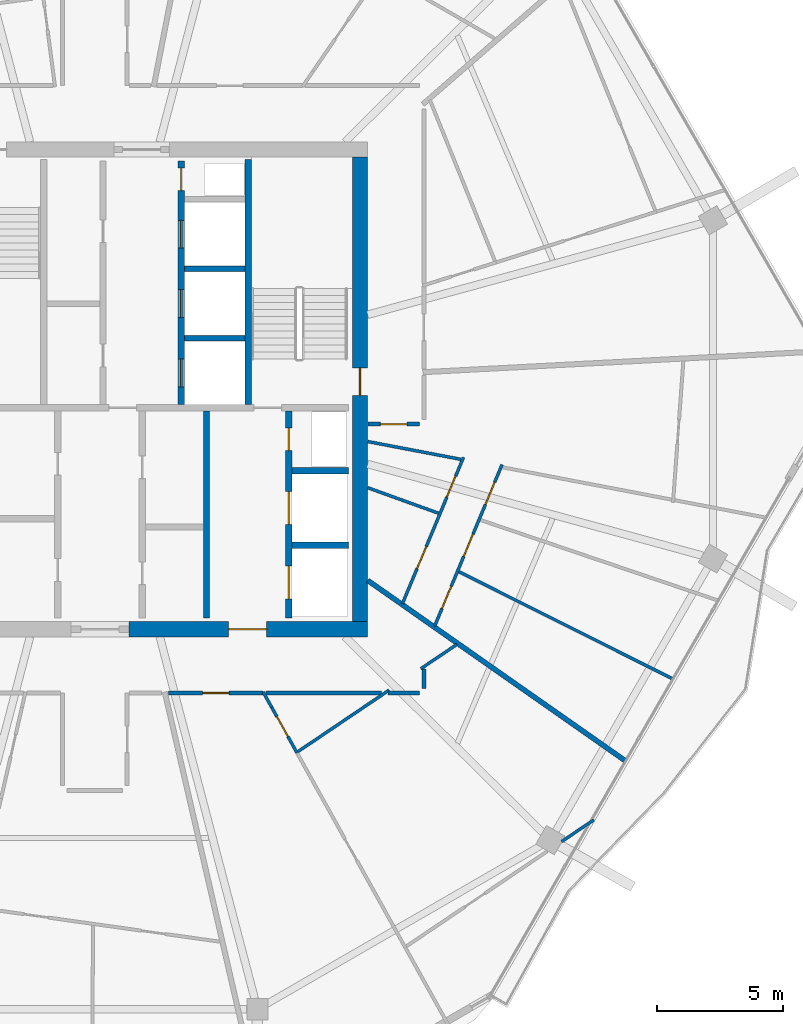
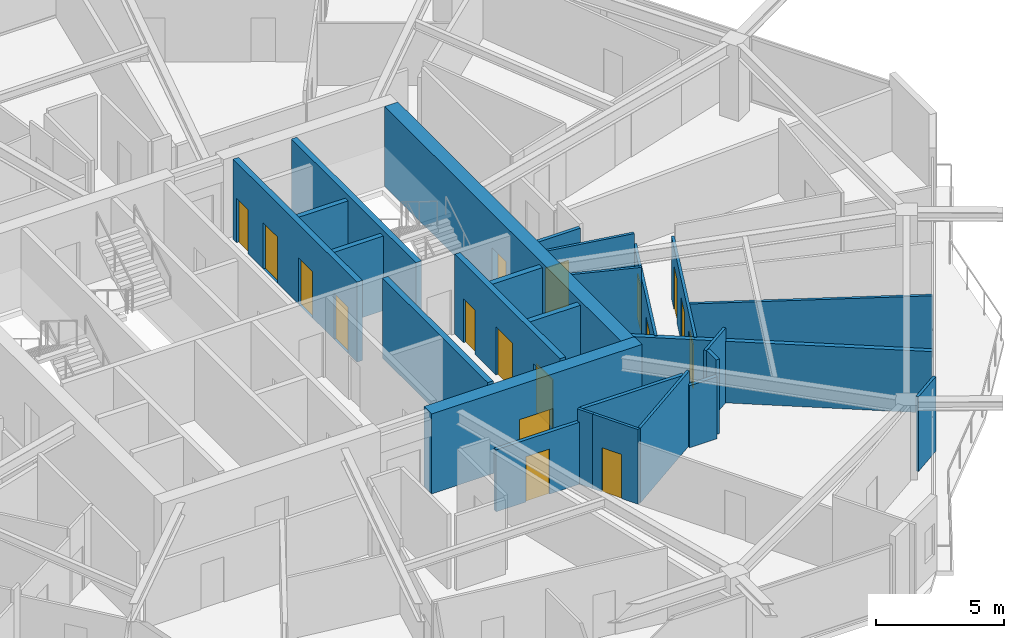
# One storey, part 20 of 26: 26 walls, 17 doors, 17 openings.
"""IFC4 building model written with IfcOpenShell, lengths in metres."""

from ifc_helpers import new_model, si_unit, direction, frame, frame_2d, origin, place, context, subcontext, project, spatial, rectangle, extrude, material, layer, layer_set, type_object, element, fill, save


model = new_model("IFC4")

# Units and contexts
model_context = context("Model", 3, precision=1e-05, world=origin(), true_north=direction((0.0, 1.0)))
body_context = subcontext(model_context, "Body", "Model", "MODEL_VIEW")
ifc_project = project(units=[si_unit("LENGTHUNIT", "METRE"), si_unit("AREAUNIT", "SQUARE_METRE"), si_unit("VOLUMEUNIT", "CUBIC_METRE"), si_unit("PLANEANGLEUNIT", "RADIAN"), si_unit("MASSUNIT", "GRAM", prefix="KILO")], contexts=[model_context])

# Site, building, storey
site_placement = place(None, origin())
site = spatial("IfcSite", under=ifc_project, at=site_placement, CompositionType="ELEMENT")
building_placement = place(site_placement, origin())
building = spatial("IfcBuilding", under=site, at=building_placement, Name="Zuhravey Tower", CompositionType="ELEMENT")
storey_placement = place(building_placement, frame((0.0, 0.0, 280.60009765625)))
storey = spatial("IfcBuildingStorey", under=building, at=storey_placement, Name="L71", CompositionType="ELEMENT", Elevation=280.60009765625)

# Wall, opening, door
ifc_material_1 = material(Name="Concrete C50/60", Category="concrete")
ifc_layer_1 = layer(ifc_material_1, 0.60009765625)
ifc_layer_set_1 = layer_set([ifc_layer_1], Name="Concrete C50/60")
wall_type_1 = type_object("IfcWallType", Name="Core Shear Wall 600", PredefinedType="SHEAR", material=ifc_layer_set_1)
wall_1_placement = place(storey_placement, frame((37.35009765625, 22.5, 0.0), z_axis=(0.0, 0.0, 1.0), x_axis=(1.0, 0.0, 0.0)))
wall_1 = element("IfcWall", 1, at=wall_1_placement, inside=storey, type_object=wall_type_1, Name="L71 South-East Core Shear Wall CW60", PredefinedType="SHEAR", context=body_context, shape_type="SweptSolid", body=[
    extrude(rectangle(XDim=9.449951171875, YDim=0.60009765625, at=frame_2d((4.72509765625, 0.0))), origin(), (0.0, 0.0, 1.0), 3.7998046875),
])
opening_1_placement = place(wall_1_placement, frame((3.949951171875, 0.0, 0.0)))
opening_1 = element("IfcOpeningElement", 2, at=opening_1_placement, cuts=wall_1, Name="Opening FFD1", PredefinedType="OPENING", context=body_context, shape_type="SweptSolid", body=[
    extrude(rectangle(XDim=1.5, YDim=2.14990234375, at=frame_2d((0.75, 1.074951171875))), frame((0.0, 0.31201171875, 0.0), z_axis=(0.0, -1.0, 0.0), x_axis=(1.0, 0.0, 0.0)), (0.0, 0.0, 1.0), 0.6240234375),
])
ifc_material_2 = material(Name="Galvanised fire-rated steel leaf", Category="steel")
door_type_1 = type_object("IfcDoorType", Name="Firefighting Lobby Double Door 1500x2150", OperationType="DOUBLE_DOOR_SINGLE_SWING", PredefinedType="DOOR", material=ifc_material_2)
door_1_placement = place(opening_1_placement, origin())
door_1 = element("IfcDoor", 3, at=door_1_placement, inside=storey, type_object=door_type_1, Name="L71 Firefighting Lobby East Door", OperationType="DOUBLE_DOOR_SINGLE_SWING", OverallHeight=2.14990234375, OverallWidth=1.5, PredefinedType="DOOR", context=body_context, shape_type="SweptSolid", body=[
    extrude(rectangle(XDim=1.5, YDim=2.14990234375, at=frame_2d((0.75, 1.074951171875))), frame((0.0, 0.02490234375, 0.0), z_axis=(0.0, -1.0, 0.0), x_axis=(1.0, 0.0, 0.0)), (0.0, 0.0, 1.0), 0.050048828125),
])
fill(opening_1, door_1)

wall_2_placement = place(storey_placement, frame((46.5, 22.800048828125, 0.0), z_axis=(0.0, 0.0, 1.0), x_axis=(0.0, 1.0, 0.0)))
wall_2 = element("IfcWall", 4, at=wall_2_placement, inside=storey, type_object=wall_type_1, Name="L71 East Core Shear Wall CW60", PredefinedType="SHEAR", context=body_context, shape_type="SweptSolid", body=[
    extrude(rectangle(XDim=18.39990234375, YDim=0.60009765625, at=frame_2d((9.199951171875, 0.0))), origin(), (0.0, 0.0, 1.0), 3.7998046875),
])
opening_2_placement = place(wall_2_placement, frame((8.949951171875, 0.0, 0.0)))
opening_2 = element("IfcOpeningElement", 5, at=opening_2_placement, cuts=wall_2, Name="Opening STD1", PredefinedType="OPENING", context=body_context, shape_type="SweptSolid", body=[
    extrude(rectangle(XDim=1.10009765625, YDim=2.14990234375, at=frame_2d((0.550048828125, 1.074951171875))), frame((0.0, 0.31201171875, 0.0), z_axis=(0.0, -1.0, 0.0), x_axis=(1.0, 0.0, 0.0)), (0.0, 0.0, 1.0), 0.6240234375),
])
door_type_2 = type_object("IfcDoorType", Name="Protected Stair Fire Door 1100x2150", OperationType="NOTDEFINED", PredefinedType="USERDEFINED", material=ifc_material_2)
door_2_placement = place(opening_2_placement, origin())
door_2 = element("IfcDoor", 6, at=door_2_placement, inside=storey, type_object=door_type_2, Name="L71 Stair ST2 Door", ObjectType="EXITDOOR", OperationType="SINGLE_SWING_RIGHT", OverallHeight=2.14990234375, OverallWidth=1.10009765625, PredefinedType="USERDEFINED", context=body_context, shape_type="SweptSolid", body=[
    extrude(rectangle(XDim=1.10009765625, YDim=2.14990234375, at=frame_2d((0.550048828125, 1.074951171875))), frame((0.0, 0.02490234375, 0.0), z_axis=(0.0, -1.0, 0.0), x_axis=(1.0, 0.0, 0.0)), (0.0, 0.0, 1.0), 0.050048828125),
])
fill(opening_2, door_2)

ifc_material_3 = material(Name="Gypsum fire-rated stud partition")
ifc_layer_2 = layer(ifc_material_3, 0.159912109375)
ifc_layer_set_2 = layer_set([ifc_layer_2], Name="Gypsum fire-rated stud partition")
wall_type_2 = type_object("IfcWallType", Name="Corridor Fire Partition 160", PredefinedType="PARTITIONING", material=ifc_layer_set_2)
wall_3_placement = place(storey_placement, frame((38.90869140625, 19.969970703125, 0.0), z_axis=(0.0, 0.0, 1.0), x_axis=(1.0, 0.0, 0.0)))
wall_3 = element("IfcWall", 7, at=wall_3_placement, inside=storey, type_object=wall_type_2, Name="L71 IW16 Partition 042", PredefinedType="PARTITIONING", context=body_context, shape_type="SweptSolid", body=[
    extrude(rectangle(XDim=3.7587890625, YDim=0.159912109375, at=frame_2d((1.87939453125, 0.0))), origin(), (0.0, 0.0, 1.0), 2.949951171875),
])
opening_3_placement = place(wall_3_placement, frame((1.354248046875, 0.0, 0.0)))
opening_3 = element("IfcOpeningElement", 8, at=opening_3_placement, cuts=wall_3, Name="Opening APD1", PredefinedType="OPENING", context=body_context, shape_type="SweptSolid", body=[
    extrude(rectangle(XDim=1.050048828125, YDim=2.14990234375, at=frame_2d((0.52490234375, 1.074951171875))), frame((0.0, 0.092041015625, 0.0), z_axis=(0.0, -1.0, 0.0), x_axis=(1.0, 0.0, 0.0)), (0.0, 0.0, 1.0), 0.183837890625),
])
ifc_material_4 = material(Name="Solid-core oak fire-rated leaf")
door_type_3 = type_object("IfcDoorType", Name="Apartment Entrance Fire Door 1050x2150", OperationType="NOTDEFINED", PredefinedType="DOOR", material=ifc_material_4)
door_3_placement = place(opening_3_placement, frame((1.050048828125, 0.0, 0.0), z_axis=(0.0, 0.0, 1.0), x_axis=(-1.0, 0.0, 0.0)))
door_3 = element("IfcDoor", 9, at=door_3_placement, inside=storey, type_object=door_type_3, Name="L71 Door 042.1", OperationType="SINGLE_SWING_RIGHT", OverallHeight=2.14990234375, OverallWidth=1.050048828125, PredefinedType="DOOR", context=body_context, shape_type="SweptSolid", body=[
    extrude(rectangle(XDim=1.050048828125, YDim=2.14990234375, at=frame_2d((0.52490234375, 1.074951171875))), frame((0.0, 0.02490234375, 0.0), z_axis=(0.0, -1.0, 0.0), x_axis=(1.0, 0.0, 0.0)), (0.0, 0.0, 1.0), 0.050048828125),
])
fill(opening_3, door_3)

wall_4_placement = place(storey_placement, frame((46.820068359375, 30.6201171875, 0.0), z_axis=(0.0, 0.0, 1.0), x_axis=(1.0, 0.0, 0.0)))
wall_4 = element("IfcWall", 10, at=wall_4_placement, inside=storey, type_object=wall_type_2, Name="L71 IW16 Partition 046", PredefinedType="PARTITIONING", context=body_context, shape_type="SweptSolid", body=[
    extrude(rectangle(XDim=2.029296875, YDim=0.159912109375, at=frame_2d((1.0146484375, 0.0))), origin(), (0.0, 0.0, 1.0), 3.5498046875),
])
opening_4_placement = place(wall_4_placement, frame((0.489501953125, 0.0, 0.0)))
opening_4 = element("IfcOpeningElement", 11, at=opening_4_placement, cuts=wall_4, Name="Opening APD1", PredefinedType="OPENING", context=body_context, shape_type="SweptSolid", body=[
    extrude(rectangle(XDim=1.050048828125, YDim=2.14990234375, at=frame_2d((0.52490234375, 1.074951171875))), frame((0.0, 0.092041015625, 0.0), z_axis=(0.0, -1.0, 0.0), x_axis=(1.0, 0.0, 0.0)), (0.0, 0.0, 1.0), 0.183837890625),
])
door_4_placement = place(opening_4_placement, frame((1.050048828125, 0.0, 0.0), z_axis=(0.0, 0.0, 1.0), x_axis=(-1.0, 0.0, 0.0)))
door_4 = element("IfcDoor", 12, at=door_4_placement, inside=storey, type_object=door_type_3, Name="L71 Door 046.1", OperationType="SINGLE_SWING_LEFT", OverallHeight=2.14990234375, OverallWidth=1.050048828125, PredefinedType="DOOR", context=body_context, shape_type="SweptSolid", body=[
    extrude(rectangle(XDim=1.050048828125, YDim=2.14990234375, at=frame_2d((0.52490234375, 1.074951171875))), frame((0.0, 0.02490234375, 0.0), z_axis=(0.0, -1.0, 0.0), x_axis=(1.0, 0.0, 0.0)), (0.0, 0.0, 1.0), 0.050048828125),
])
fill(opening_4, door_4)

# Walls
wall_5_placement = place(storey_placement, frame((42.768310546875, 19.969970703125, 0.0), z_axis=(0.0, 0.0, 1.0), x_axis=(1.0, 0.0, 0.0)))
element("IfcWall", 13, at=wall_5_placement, inside=storey, type_object=wall_type_2, Name="L71 IW16 Partition 126", PredefinedType="PARTITIONING", context=body_context, shape_type="SweptSolid", body=[
    extrude(rectangle(XDim=4.591552734375, YDim=0.159912109375, at=frame_2d((2.2958984375, 0.0))), origin(), (0.0, 0.0, 1.0), 3.5498046875),
])
wall_6_placement = place(storey_placement, frame((47.60302734375, 19.969970703125, 0.0), z_axis=(0.0, 0.0, 1.0), x_axis=(1.0, 0.0, 0.0)))
element("IfcWall", 14, at=wall_6_placement, inside=storey, type_object=wall_type_2, Name="L71 IW16 Partition 127", PredefinedType="PARTITIONING", context=body_context, shape_type="SweptSolid", body=[
    extrude(rectangle(XDim=1.2470703125, YDim=0.159912109375, at=frame_2d((0.62353515625, 0.0))), origin(), (0.0, 0.0, 1.0), 2.949951171875),
])
wall_7_placement = place(storey_placement, frame((49.030029296875, 20.14990234375, 0.0), z_axis=(0.0, 0.0, 1.0), x_axis=(0.0, 1.0, 0.0)))
element("IfcWall", 15, at=wall_7_placement, inside=storey, type_object=wall_type_2, Name="L71 IW16 Partition 128", PredefinedType="PARTITIONING", context=body_context, shape_type="SweptSolid", body=[
    extrude(rectangle(XDim=0.78271484375, YDim=0.159912109375, at=frame_2d((0.391357421875, 0.0))), origin(), (0.0, 0.0, 1.0), 3.5498046875),
])
ifc_layer_3 = layer(ifc_material_1, 0.25)
ifc_layer_set_3 = layer_set([ifc_layer_3], Name="Concrete C50/60")
wall_type_3 = type_object("IfcWallType", Name="Firefighting Shaft & Stair Wall 250", PredefinedType="SOLIDWALL", material=ifc_layer_set_3)
wall_8_placement = place(storey_placement, frame((42.074951171875, 31.39990234375, 0.0), z_axis=(0.0, 0.0, 1.0), x_axis=(0.0, 1.0, 0.0)))
element("IfcWall", 16, at=wall_8_placement, inside=storey, type_object=wall_type_3, Name="L71 FW25 Shaft Wall 006", PredefinedType="SOLIDWALL", context=body_context, shape_type="SweptSolid", body=[
    extrude(rectangle(XDim=9.7001953125, YDim=0.25, at=frame_2d((4.85009765625, 0.0))), origin(), (0.0, 0.0, 1.0), 3.7998046875),
])

# Wall, openings, doors
wall_9_placement = place(storey_placement, frame((39.425048828125, 31.39990234375, 0.0), z_axis=(0.0, 0.0, 1.0), x_axis=(0.0, 1.0, 0.0)))
wall_9 = element("IfcWall", 17, at=wall_9_placement, inside=storey, type_object=wall_type_3, Name="L71 FW25 Shaft Wall 008", PredefinedType="SOLIDWALL", context=body_context, shape_type="SweptSolid", body=[
    extrude(rectangle(XDim=9.650146484375, YDim=0.25, at=frame_2d((4.8251953125, 0.0))), origin(), (0.0, 0.0, 1.0), 3.7998046875),
])
opening_5_placement = place(wall_9_placement, frame((0.699951171875, 0.0, 0.0)))
opening_5 = element("IfcOpeningElement", 18, at=opening_5_placement, cuts=wall_9, Name="Opening LD1", PredefinedType="OPENING", context=body_context, shape_type="SweptSolid", body=[
    extrude(rectangle(XDim=1.10009765625, YDim=2.199951171875, at=frame_2d((0.550048828125, 1.10009765625))), frame((0.0, 0.136962890625, 0.0), z_axis=(0.0, -1.0, 0.0), x_axis=(1.0, 0.0, 0.0)), (0.0, 0.0, 1.0), 0.27392578125),
])
opening_6_placement = place(wall_9_placement, frame((3.449951171875, 0.0, 0.0)))
opening_6 = element("IfcOpeningElement", 19, at=opening_6_placement, cuts=wall_9, Name="Opening LD1", PredefinedType="OPENING", context=body_context, shape_type="SweptSolid", body=[
    extrude(rectangle(XDim=1.10009765625, YDim=2.199951171875, at=frame_2d((0.550048828125, 1.10009765625))), frame((0.0, 0.136962890625, 0.0), z_axis=(0.0, -1.0, 0.0), x_axis=(1.0, 0.0, 0.0)), (0.0, 0.0, 1.0), 0.27392578125),
])
opening_7_placement = place(wall_9_placement, frame((6.199951171875, 0.0, 0.0)))
opening_7 = element("IfcOpeningElement", 20, at=opening_7_placement, cuts=wall_9, Name="Opening LD1", PredefinedType="OPENING", context=body_context, shape_type="SweptSolid", body=[
    extrude(rectangle(XDim=1.10009765625, YDim=2.199951171875, at=frame_2d((0.550048828125, 1.10009765625))), frame((0.0, 0.136962890625, 0.0), z_axis=(0.0, -1.0, 0.0), x_axis=(1.0, 0.0, 0.0)), (0.0, 0.0, 1.0), 0.27392578125),
])
opening_8_placement = place(wall_9_placement, frame((8.469970703125, 0.0, 0.0)))
opening_8 = element("IfcOpeningElement", 21, at=opening_8_placement, cuts=wall_9, Name="Opening RSD1", PredefinedType="OPENING", context=body_context, shape_type="SweptSolid", body=[
    extrude(rectangle(XDim=0.89990234375, YDim=2.10009765625, at=frame_2d((0.449951171875, 1.050048828125))), frame((0.0, 0.136962890625, 0.0), z_axis=(0.0, -1.0, 0.0), x_axis=(1.0, 0.0, 0.0)), (0.0, 0.0, 1.0), 0.27392578125),
])
ifc_material_5 = material(Name="Brushed stainless steel", Category="steel")
door_type_4 = type_object("IfcDoorType", Name="Lift Landing Sliding Door 1100x2200", OperationType="DOUBLE_DOOR_SLIDING", PredefinedType="DOOR", material=ifc_material_5)
door_5_placement = place(opening_5_placement, origin())
door_5 = element("IfcDoor", 22, at=door_5_placement, inside=storey, type_object=door_type_4, Name="L71 Lift PL7 Landing Door", OperationType="DOUBLE_DOOR_SLIDING", OverallHeight=2.199951171875, OverallWidth=1.10009765625, PredefinedType="DOOR", context=body_context, shape_type="SweptSolid", body=[
    extrude(rectangle(XDim=1.10009765625, YDim=2.199951171875, at=frame_2d((0.550048828125, 1.10009765625))), frame((0.0, 0.02490234375, 0.0), z_axis=(0.0, -1.0, 0.0), x_axis=(1.0, 0.0, 0.0)), (0.0, 0.0, 1.0), 0.050048828125),
])
fill(opening_5, door_5)
door_6_placement = place(opening_6_placement, origin())
door_6 = element("IfcDoor", 23, at=door_6_placement, inside=storey, type_object=door_type_4, Name="L71 Lift PL8 Landing Door", OperationType="DOUBLE_DOOR_SLIDING", OverallHeight=2.199951171875, OverallWidth=1.10009765625, PredefinedType="DOOR", context=body_context, shape_type="SweptSolid", body=[
    extrude(rectangle(XDim=1.10009765625, YDim=2.199951171875, at=frame_2d((0.550048828125, 1.10009765625))), frame((0.0, 0.02490234375, 0.0), z_axis=(0.0, -1.0, 0.0), x_axis=(1.0, 0.0, 0.0)), (0.0, 0.0, 1.0), 0.050048828125),
])
fill(opening_6, door_6)
door_7_placement = place(opening_7_placement, origin())
door_7 = element("IfcDoor", 24, at=door_7_placement, inside=storey, type_object=door_type_4, Name="L71 Lift PL9 Landing Door", OperationType="DOUBLE_DOOR_SLIDING", OverallHeight=2.199951171875, OverallWidth=1.10009765625, PredefinedType="DOOR", context=body_context, shape_type="SweptSolid", body=[
    extrude(rectangle(XDim=1.10009765625, YDim=2.199951171875, at=frame_2d((0.550048828125, 1.10009765625))), frame((0.0, 0.02490234375, 0.0), z_axis=(0.0, -1.0, 0.0), x_axis=(1.0, 0.0, 0.0)), (0.0, 0.0, 1.0), 0.050048828125),
])
fill(opening_7, door_7)
ifc_material_6 = material(Name="Galvanised fire-rated steel access leaf", Category="steel")
door_type_5 = type_object("IfcDoorType", Name="Riser & Shaft Access Fire Door 900x2100", OperationType="NOTDEFINED", PredefinedType="DOOR", material=ifc_material_6)
door_8_placement = place(opening_8_placement, origin())
door_8 = element("IfcDoor", 25, at=door_8_placement, inside=storey, type_object=door_type_5, Name="L71 North Riser Door", OperationType="SINGLE_SWING_LEFT", OverallHeight=2.10009765625, OverallWidth=0.89990234375, PredefinedType="DOOR", context=body_context, shape_type="SweptSolid", body=[
    extrude(rectangle(XDim=0.89990234375, YDim=2.10009765625, at=frame_2d((0.449951171875, 1.050048828125))), frame((0.0, 0.02490234375, 0.0), z_axis=(0.0, -1.0, 0.0), x_axis=(1.0, 0.0, 0.0)), (0.0, 0.0, 1.0), 0.050048828125),
])
fill(opening_8, door_8)

# Walls
wall_10_placement = place(storey_placement, frame((40.425048828125, 22.949951171875, 0.0), z_axis=(0.0, 0.0, 1.0), x_axis=(0.0, 1.0, 0.0)))
element("IfcWall", 26, at=wall_10_placement, inside=storey, type_object=wall_type_3, Name="L71 FW25 Shaft Wall 017", PredefinedType="SOLIDWALL", context=body_context, shape_type="SweptSolid", body=[
    extrude(rectangle(XDim=8.199951171875, YDim=0.25, at=frame_2d((4.10009765625, 0.0))), origin(), (0.0, 0.0, 1.0), 3.7998046875),
])
for number, where, z_axis, x_axis, name in (
    (27, (43.800048828125, 25.824951171875, 0.0), (0.0, 0.0, 1.0), (1.0, 0.0, 0.0), "L71 FW25 Shaft Wall 018"),
    (28, (43.800048828125, 28.77490234375, 0.0), (0.0, 0.0, 1.0), (1.0, 0.0, 0.0), "L71 FW25 Shaft Wall 019"),
):
    element("IfcWall", number, at=place(storey_placement, frame(where, z_axis=z_axis, x_axis=x_axis)), inside=storey, type_object=wall_type_3, Name=name, PredefinedType="SOLIDWALL", context=body_context, shape_type="SweptSolid", body=[
        extrude(rectangle(XDim=2.25, YDim=0.25, at=frame_2d((1.125, 0.0))), origin(), (0.0, 0.0, 1.0), 3.7998046875),
    ])

# Wall, openings, doors
wall_11_placement = place(storey_placement, frame((43.675048828125, 22.949951171875, 0.0), z_axis=(0.0, 0.0, 1.0), x_axis=(0.0, 1.0, 0.0)))
wall_11 = element("IfcWall", 29, at=wall_11_placement, inside=storey, type_object=wall_type_3, Name="L71 FW25 Shaft Wall 020", PredefinedType="SOLIDWALL", context=body_context, shape_type="SweptSolid", body=[
    extrude(rectangle(XDim=8.199951171875, YDim=0.25, at=frame_2d((4.10009765625, 0.0))), origin(), (0.0, 0.0, 1.0), 3.7998046875),
])
opening_9_placement = place(wall_11_placement, frame((0.75, 0.0, 0.0)))
opening_9 = element("IfcOpeningElement", 30, at=opening_9_placement, cuts=wall_11, Name="Opening LD2", PredefinedType="OPENING", context=body_context, shape_type="SweptSolid", body=[
    extrude(rectangle(XDim=1.300048828125, YDim=2.300048828125, at=frame_2d((0.64990234375, 1.14990234375))), frame((0.0, 0.136962890625, 0.0), z_axis=(0.0, -1.0, 0.0), x_axis=(1.0, 0.0, 0.0)), (0.0, 0.0, 1.0), 0.27392578125),
])
opening_10_placement = place(wall_11_placement, frame((3.699951171875, 0.0, 0.0)))
opening_10 = element("IfcOpeningElement", 31, at=opening_10_placement, cuts=wall_11, Name="Opening LD2", PredefinedType="OPENING", context=body_context, shape_type="SweptSolid", body=[
    extrude(rectangle(XDim=1.300048828125, YDim=2.300048828125, at=frame_2d((0.64990234375, 1.14990234375))), frame((0.0, 0.136962890625, 0.0), z_axis=(0.0, -1.0, 0.0), x_axis=(1.0, 0.0, 0.0)), (0.0, 0.0, 1.0), 0.27392578125),
])
opening_11_placement = place(wall_11_placement, frame((6.6201171875, 0.0, 0.0)))
opening_11 = element("IfcOpeningElement", 32, at=opening_11_placement, cuts=wall_11, Name="Opening RSD1", PredefinedType="OPENING", context=body_context, shape_type="SweptSolid", body=[
    extrude(rectangle(XDim=0.89990234375, YDim=2.10009765625, at=frame_2d((0.449951171875, 1.050048828125))), frame((0.0, 0.136962890625, 0.0), z_axis=(0.0, -1.0, 0.0), x_axis=(1.0, 0.0, 0.0)), (0.0, 0.0, 1.0), 0.27392578125),
])
door_type_6 = type_object("IfcDoorType", Name="Freight & Stretcher Lift Sliding Door 1300x2300", OperationType="DOUBLE_DOOR_SLIDING", PredefinedType="DOOR", material=ifc_material_5)
door_9_placement = place(opening_9_placement, origin())
door_9 = element("IfcDoor", 33, at=door_9_placement, inside=storey, type_object=door_type_6, Name="L71 Lift FF2 Landing Door", OperationType="DOUBLE_DOOR_SLIDING", OverallHeight=2.300048828125, OverallWidth=1.300048828125, PredefinedType="DOOR", context=body_context, shape_type="SweptSolid", body=[
    extrude(rectangle(XDim=1.300048828125, YDim=2.300048828125, at=frame_2d((0.64990234375, 1.14990234375))), frame((0.0, 0.02490234375, 0.0), z_axis=(0.0, -1.0, 0.0), x_axis=(1.0, 0.0, 0.0)), (0.0, 0.0, 1.0), 0.050048828125),
])
fill(opening_9, door_9)
door_10_placement = place(opening_10_placement, origin())
door_10 = element("IfcDoor", 34, at=door_10_placement, inside=storey, type_object=door_type_6, Name="L71 Lift SV1 Landing Door", OperationType="DOUBLE_DOOR_SLIDING", OverallHeight=2.300048828125, OverallWidth=1.300048828125, PredefinedType="DOOR", context=body_context, shape_type="SweptSolid", body=[
    extrude(rectangle(XDim=1.300048828125, YDim=2.300048828125, at=frame_2d((0.64990234375, 1.14990234375))), frame((0.0, 0.02490234375, 0.0), z_axis=(0.0, -1.0, 0.0), x_axis=(1.0, 0.0, 0.0)), (0.0, 0.0, 1.0), 0.050048828125),
])
fill(opening_10, door_10)
door_11_placement = place(opening_11_placement, origin())
door_11 = element("IfcDoor", 35, at=door_11_placement, inside=storey, type_object=door_type_5, Name="L71 Plumbing Riser Door", OperationType="SINGLE_SWING_RIGHT", OverallHeight=2.10009765625, OverallWidth=0.89990234375, PredefinedType="DOOR", context=body_context, shape_type="SweptSolid", body=[
    extrude(rectangle(XDim=0.89990234375, YDim=2.10009765625, at=frame_2d((0.449951171875, 1.050048828125))), frame((0.0, 0.02490234375, 0.0), z_axis=(0.0, -1.0, 0.0), x_axis=(1.0, 0.0, 0.0)), (0.0, 0.0, 1.0), 0.050048828125),
])
fill(opening_11, door_11)

# Walls
ifc_material_7 = material(Name="Gypsum double-stud party assembly")
ifc_layer_4 = layer(ifc_material_7, 0.199951171875)
ifc_layer_set_4 = layer_set([ifc_layer_4], Name="Gypsum double-stud party assembly")
wall_type_4 = type_object("IfcWallType", Name="Inter-Tenancy Party Wall 200", PredefinedType="PARTITIONING", material=ifc_layer_set_4)
wall_12_placement = place(storey_placement, frame((46.80810546875, 24.43212890625, 0.0), z_axis=(0.0, 0.0, 1.0), x_axis=(0.819149112162, -0.57358062384, 0.0)))
element("IfcWall", 36, at=wall_12_placement, inside=storey, type_object=wall_type_4, Name="L71 IW20 Partition 091", PredefinedType="PARTITIONING", context=body_context, shape_type="SweptSolid", body=[
    extrude(rectangle(XDim=12.467041015625, YDim=0.199951171875, at=frame_2d((6.2333984375, 0.0))), origin(), (0.0, 0.0, 1.0), 2.929931640625),
])
ifc_material_8 = material(Name="Gypsum acoustic stud assembly")
ifc_layer_5 = layer(ifc_material_8, 0.219970703125)
ifc_layer_set_5 = layer_set([ifc_layer_5], Name="Gypsum acoustic stud assembly")
wall_type_5 = type_object("IfcWallType", Name="School Acoustic Compartment Wall 220", PredefinedType="PARTITIONING", material=ifc_layer_set_5)
for number, where, z_axis, x_axis, name in (
    (37, (39.55810546875, 34.02490234375, 0.0), (0.0, 0.0, 1.0), (1.0, 0.0, 0.0), "L71 IW22 Partition 067"),
    (38, (39.55810546875, 36.77490234375, 0.0), (0.0, 0.0, 1.0), (1.0, 0.0, 0.0), "L71 IW22 Partition 068"),
):
    element("IfcWall", number, at=place(storey_placement, frame(where, z_axis=z_axis, x_axis=x_axis)), inside=storey, type_object=wall_type_5, Name=name, PredefinedType="PARTITIONING", context=body_context, shape_type="SweptSolid", body=[
        extrude(rectangle(XDim=2.3837890625, YDim=0.219970703125, at=frame_2d((1.19189453125, 0.0))), origin(), (0.0, 0.0, 1.0), 3.5498046875),
    ])

# Wall, opening, door
ifc_material_9 = material(Name="Gypsum metal-stud partition")
ifc_layer_6 = layer(ifc_material_9, 0.1201171875)
ifc_layer_set_6 = layer_set([ifc_layer_6], Name="Gypsum metal-stud partition")
wall_type_6 = type_object("IfcWallType", Name="Unit Internal Partition 120", PredefinedType="PARTITIONING", material=ifc_layer_set_6)
wall_13_placement = place(storey_placement, frame((43.00732421875, 19.39990234375, 0.0), z_axis=(0.0, 0.0, 1.0), x_axis=(0.48609530241, -0.873905805551, 0.0)))
wall_13 = element("IfcWall", 39, at=wall_13_placement, inside=storey, type_object=wall_type_6, Name="L71 IW12 Partition 039", PredefinedType="PARTITIONING", context=body_context, shape_type="SweptSolid", body=[
    extrude(rectangle(XDim=2.061767578125, YDim=0.1201171875, at=frame_2d((1.03076171875, 0.0))), origin(), (0.0, 0.0, 1.0), 3.5498046875),
])
opening_12_placement = place(wall_13_placement, frame((0.416015625, 0.0, 0.0)))
opening_12 = element("IfcOpeningElement", 40, at=opening_12_placement, cuts=wall_13, Name="Opening WCD1", PredefinedType="OPENING", context=body_context, shape_type="SweptSolid", body=[
    extrude(rectangle(XDim=0.89990234375, YDim=2.10009765625, at=frame_2d((0.449951171875, 1.050048828125))), frame((0.0, 0.072021484375, 0.0), z_axis=(0.0, -1.0, 0.0), x_axis=(1.0, 0.0, 0.0)), (0.0, 0.0, 1.0), 0.14404296875),
])
ifc_material_10 = material(Name="Moisture-resistant timber leaf", Category="wood")
door_type_7 = type_object("IfcDoorType", Name="Bathroom & WC Internal Door 900x2100", OperationType="NOTDEFINED", PredefinedType="DOOR", material=ifc_material_10)
door_12_placement = place(opening_12_placement, origin())
door_12 = element("IfcDoor", 41, at=door_12_placement, inside=storey, type_object=door_type_7, Name="Apartment L71-04 Bathroom Door", OperationType="SINGLE_SWING_LEFT", OverallHeight=2.10009765625, OverallWidth=0.89990234375, PredefinedType="DOOR", context=body_context, shape_type="SweptSolid", body=[
    extrude(rectangle(XDim=0.89990234375, YDim=2.10009765625, at=frame_2d((0.449951171875, 1.050048828125))), frame((0.0, 0.02490234375, 0.0), z_axis=(0.0, -1.0, 0.0), x_axis=(1.0, 0.0, 0.0)), (0.0, 0.0, 1.0), 0.050048828125),
])
fill(opening_12, door_12)

# Wall, openings, doors
wall_14_placement = place(storey_placement, frame((48.179931640625, 23.507568359375, 0.0), z_axis=(0.0, 0.0, 1.0), x_axis=(0.385271359417, 0.922803326616, 0.0)))
wall_14 = element("IfcWall", 42, at=wall_14_placement, inside=storey, type_object=wall_type_6, Name="L71 IW12 Partition 044", PredefinedType="PARTITIONING", context=body_context, shape_type="SweptSolid", body=[
    extrude(rectangle(XDim=6.28857421875, YDim=0.1201171875, at=frame_2d((3.144287109375, 0.0))), origin(), (0.0, 0.0, 1.0), 2.949951171875),
])
opening_13_placement = place(wall_14_placement, frame((1.50830078125, 0.0, 0.0)))
opening_13 = element("IfcOpeningElement", 43, at=opening_13_placement, cuts=wall_14, Name="Opening IND1", PredefinedType="OPENING", context=body_context, shape_type="SweptSolid", body=[
    extrude(rectangle(XDim=0.949951171875, YDim=2.10009765625, at=frame_2d((0.47509765625, 1.050048828125))), frame((0.0, 0.072021484375, 0.0), z_axis=(0.0, -1.0, 0.0), x_axis=(1.0, 0.0, 0.0)), (0.0, 0.0, 1.0), 0.14404296875),
])
opening_14_placement = place(wall_14_placement, frame((4.575439453125, 0.0, 0.0)))
opening_14 = element("IfcOpeningElement", 44, at=opening_14_placement, cuts=wall_14, Name="Opening WCD1", PredefinedType="OPENING", context=body_context, shape_type="SweptSolid", body=[
    extrude(rectangle(XDim=0.89990234375, YDim=2.10009765625, at=frame_2d((0.449951171875, 1.050048828125))), frame((0.0, 0.072021484375, 0.0), z_axis=(0.0, -1.0, 0.0), x_axis=(1.0, 0.0, 0.0)), (0.0, 0.0, 1.0), 0.14404296875),
])
door_13_placement = place(opening_14_placement, origin())
door_13 = element("IfcDoor", 45, at=door_13_placement, inside=storey, type_object=door_type_7, Name="Apartment L71-05 Bathroom Door", OperationType="SINGLE_SWING_LEFT", OverallHeight=2.10009765625, OverallWidth=0.89990234375, PredefinedType="DOOR", context=body_context, shape_type="SweptSolid", body=[
    extrude(rectangle(XDim=0.89990234375, YDim=2.10009765625, at=frame_2d((0.449951171875, 1.050048828125))), frame((0.0, 0.02490234375, 0.0), z_axis=(0.0, -1.0, 0.0), x_axis=(1.0, 0.0, 0.0)), (0.0, 0.0, 1.0), 0.050048828125),
])
fill(opening_14, door_13)
ifc_material_11 = material(Name="Painted engineered timber leaf", Category="wood")
door_type_8 = type_object("IfcDoorType", Name="Internal Room & Bedroom Door 950x2100", OperationType="NOTDEFINED", PredefinedType="DOOR", material=ifc_material_11)
door_14_placement = place(opening_13_placement, origin())
door_14 = element("IfcDoor", 46, at=door_14_placement, inside=storey, type_object=door_type_8, Name="Apartment L71-05 Kitchen Door", OperationType="SINGLE_SWING_RIGHT", OverallHeight=2.10009765625, OverallWidth=0.949951171875, PredefinedType="DOOR", context=body_context, shape_type="SweptSolid", body=[
    extrude(rectangle(XDim=0.949951171875, YDim=2.10009765625, at=frame_2d((0.47509765625, 1.050048828125))), frame((0.0, 0.02490234375, 0.0), z_axis=(0.0, -1.0, 0.0), x_axis=(1.0, 0.0, 0.0)), (0.0, 0.0, 1.0), 0.050048828125),
])
fill(opening_13, door_14)

wall_15_placement = place(storey_placement, frame((49.4599609375, 22.6279296875, 0.0), z_axis=(0.0, 0.0, 1.0), x_axis=(0.385248544759, 0.922812851428, 0.0)))
wall_15 = element("IfcWall", 47, at=wall_15_placement, inside=storey, type_object=wall_type_6, Name="L71 IW12 Partition 045", PredefinedType="PARTITIONING", context=body_context, shape_type="SweptSolid", body=[
    extrude(rectangle(XDim=6.926025390625, YDim=0.1201171875, at=frame_2d((3.462890625, 0.0))), origin(), (0.0, 0.0, 1.0), 2.949951171875),
])
opening_15_placement = place(wall_15_placement, frame((0.75341796875, 0.0, 0.0)))
opening_15 = element("IfcOpeningElement", 48, at=opening_15_placement, cuts=wall_15, Name="Opening IND1", PredefinedType="OPENING", context=body_context, shape_type="SweptSolid", body=[
    extrude(rectangle(XDim=0.949951171875, YDim=2.10009765625, at=frame_2d((0.47509765625, 1.050048828125))), frame((0.0, 0.072021484375, 0.0), z_axis=(0.0, -1.0, 0.0), x_axis=(1.0, 0.0, 0.0)), (0.0, 0.0, 1.0), 0.14404296875),
])
opening_16_placement = place(wall_15_placement, frame((2.988037109375, 0.0, 0.0)))
opening_16 = element("IfcOpeningElement", 49, at=opening_16_placement, cuts=wall_15, Name="Opening IND1", PredefinedType="OPENING", context=body_context, shape_type="SweptSolid", body=[
    extrude(rectangle(XDim=0.949951171875, YDim=2.10009765625, at=frame_2d((0.47509765625, 1.050048828125))), frame((0.0, 0.072021484375, 0.0), z_axis=(0.0, -1.0, 0.0), x_axis=(1.0, 0.0, 0.0)), (0.0, 0.0, 1.0), 0.14404296875),
])
opening_17_placement = place(wall_15_placement, frame((5.222412109375, 0.0, 0.0)))
opening_17 = element("IfcOpeningElement", 50, at=opening_17_placement, cuts=wall_15, Name="Opening IND1", PredefinedType="OPENING", context=body_context, shape_type="SweptSolid", body=[
    extrude(rectangle(XDim=0.949951171875, YDim=2.10009765625, at=frame_2d((0.47509765625, 1.050048828125))), frame((0.0, 0.072021484375, 0.0), z_axis=(0.0, -1.0, 0.0), x_axis=(1.0, 0.0, 0.0)), (0.0, 0.0, 1.0), 0.14404296875),
])
door_15_placement = place(opening_15_placement, frame((0.949951171875, 0.0, 0.0), z_axis=(0.0, 0.0, 1.0), x_axis=(-1.0, 0.0, 0.0)))
door_15 = element("IfcDoor", 51, at=door_15_placement, inside=storey, type_object=door_type_8, Name="Apartment L71-05 Bedroom 1 Door", OperationType="SINGLE_SWING_RIGHT", OverallHeight=2.10009765625, OverallWidth=0.949951171875, PredefinedType="DOOR", context=body_context, shape_type="SweptSolid", body=[
    extrude(rectangle(XDim=0.949951171875, YDim=2.10009765625, at=frame_2d((0.47509765625, 1.050048828125))), frame((0.0, 0.02490234375, 0.0), z_axis=(0.0, -1.0, 0.0), x_axis=(1.0, 0.0, 0.0)), (0.0, 0.0, 1.0), 0.050048828125),
])
fill(opening_15, door_15)
door_16_placement = place(opening_16_placement, frame((0.949951171875, 0.0, 0.0), z_axis=(0.0, 0.0, 1.0), x_axis=(-1.0, 0.0, 0.0)))
door_16 = element("IfcDoor", 52, at=door_16_placement, inside=storey, type_object=door_type_8, Name="Apartment L71-05 Bedroom 2 Door", OperationType="SINGLE_SWING_LEFT", OverallHeight=2.10009765625, OverallWidth=0.949951171875, PredefinedType="DOOR", context=body_context, shape_type="SweptSolid", body=[
    extrude(rectangle(XDim=0.949951171875, YDim=2.10009765625, at=frame_2d((0.47509765625, 1.050048828125))), frame((0.0, 0.02490234375, 0.0), z_axis=(0.0, -1.0, 0.0), x_axis=(1.0, 0.0, 0.0)), (0.0, 0.0, 1.0), 0.050048828125),
])
fill(opening_16, door_16)
door_17_placement = place(opening_17_placement, frame((0.949951171875, 0.0, 0.0), z_axis=(0.0, 0.0, 1.0), x_axis=(-1.0, 0.0, 0.0)))
door_17 = element("IfcDoor", 53, at=door_17_placement, inside=storey, type_object=door_type_8, Name="Apartment L71-05 Bedroom 3 Door", OperationType="SINGLE_SWING_RIGHT", OverallHeight=2.10009765625, OverallWidth=0.949951171875, PredefinedType="DOOR", context=body_context, shape_type="SweptSolid", body=[
    extrude(rectangle(XDim=0.949951171875, YDim=2.10009765625, at=frame_2d((0.47509765625, 1.050048828125))), frame((0.0, 0.02490234375, 0.0), z_axis=(0.0, -1.0, 0.0), x_axis=(1.0, 0.0, 0.0)), (0.0, 0.0, 1.0), 0.050048828125),
])
fill(opening_17, door_17)

# Walls
wall_16_placement = place(storey_placement, frame((42.66748046875, 20.01123046875, 0.0), z_axis=(0.0, 0.0, 1.0), x_axis=(0.485880005056, -0.874025526336, 0.0)))
element("IfcWall", 54, at=wall_16_placement, inside=storey, type_object=wall_type_6, Name="L71 IW12 Partition 086", PredefinedType="PARTITIONING", context=body_context, shape_type="SweptSolid", body=[
    extrude(rectangle(XDim=0.699462890625, YDim=0.1201171875, at=frame_2d((0.349609375, 0.0))), origin(), (0.0, 0.0, 1.0), 3.5498046875),
])
wall_17_placement = place(storey_placement, frame((44.053955078125, 17.658203125, 0.0), z_axis=(0.0, 0.0, 1.0), x_axis=(0.829023707323, 0.559213458973, 0.0)))
element("IfcWall", 55, at=wall_17_placement, inside=storey, type_object=wall_type_6, Name="L71 IW12 Partition 088", PredefinedType="PARTITIONING", context=body_context, shape_type="SweptSolid", body=[
    extrude(rectangle(XDim=4.348876953125, YDim=0.1201171875, at=frame_2d((2.17431640625, 0.0))), origin(), (0.0, 0.0, 1.0), 3.5498046875),
])
wall_18_placement = place(storey_placement, frame((48.909912109375, 20.93359375, 0.0), z_axis=(0.0, 0.0, 1.0), x_axis=(0.829049195255, 0.559175671723, 0.0)))
element("IfcWall", 56, at=wall_18_placement, inside=storey, type_object=wall_type_6, Name="L71 IW12 Partition 089", PredefinedType="PARTITIONING", context=body_context, shape_type="SweptSolid", body=[
    extrude(rectangle(XDim=1.721435546875, YDim=0.1201171875, at=frame_2d((0.86083984375, 0.0))), origin(), (0.0, 0.0, 1.0), 3.5498046875),
])
wall_19_placement = place(storey_placement, frame((54.488525390625, 14.08740234375, 0.0), z_axis=(0.0, 0.0, 1.0), x_axis=(0.829114812238, 0.559078373868, 0.0)))
element("IfcWall", 57, at=wall_19_placement, inside=storey, type_object=wall_type_6, Name="L71 IW12 Partition 090", PredefinedType="PARTITIONING", context=body_context, shape_type="SweptSolid", body=[
    extrude(rectangle(XDim=1.54150390625, YDim=0.1201171875, at=frame_2d((0.770751953125, 0.0))), origin(), (0.0, 0.0, 1.0), 3.5498046875),
])
wall_20_placement = place(storey_placement, frame((46.80810546875, 28.10498046875, 0.0), z_axis=(0.0, 0.0, 1.0), x_axis=(0.940760677373, -0.339071302101, 0.0)))
element("IfcWall", 58, at=wall_20_placement, inside=storey, type_object=wall_type_6, Name="L71 IW12 Partition 092", PredefinedType="PARTITIONING", context=body_context, shape_type="SweptSolid", body=[
    extrude(rectangle(XDim=2.972900390625, YDim=0.1201171875, at=frame_2d((1.486328125, 0.0))), origin(), (0.0, 0.0, 1.0), 3.5498046875),
])
wall_21_placement = place(storey_placement, frame((50.428955078125, 24.7724609375, 0.0), z_axis=(0.0, 0.0, 1.0), x_axis=(0.894097326917, -0.447872716294, 0.0)))
element("IfcWall", 59, at=wall_21_placement, inside=storey, type_object=wall_type_6, Name="L71 IW12 Partition 093", PredefinedType="PARTITIONING", context=body_context, shape_type="SweptSolid", body=[
    extrude(rectangle(XDim=9.48046875, YDim=0.1201171875, at=frame_2d((4.740234375, 0.0))), origin(), (0.0, 0.0, 1.0), 2.929931640625),
])
wall_22_placement = place(storey_placement, frame((46.80810546875, 29.934326171875, 0.0), z_axis=(0.0, 0.0, 1.0), x_axis=(0.982225672126, -0.187703833251, 0.0)))
element("IfcWall", 60, at=wall_22_placement, inside=storey, type_object=wall_type_6, Name="L71 IW12 Partition 095", PredefinedType="PARTITIONING", context=body_context, shape_type="SweptSolid", body=[
    extrude(rectangle(XDim=3.753662109375, YDim=0.1201171875, at=frame_2d((1.876953125, 0.0))), origin(), (0.0, 0.0, 1.0), 3.5498046875),
])

save(model, "model.ifc")
